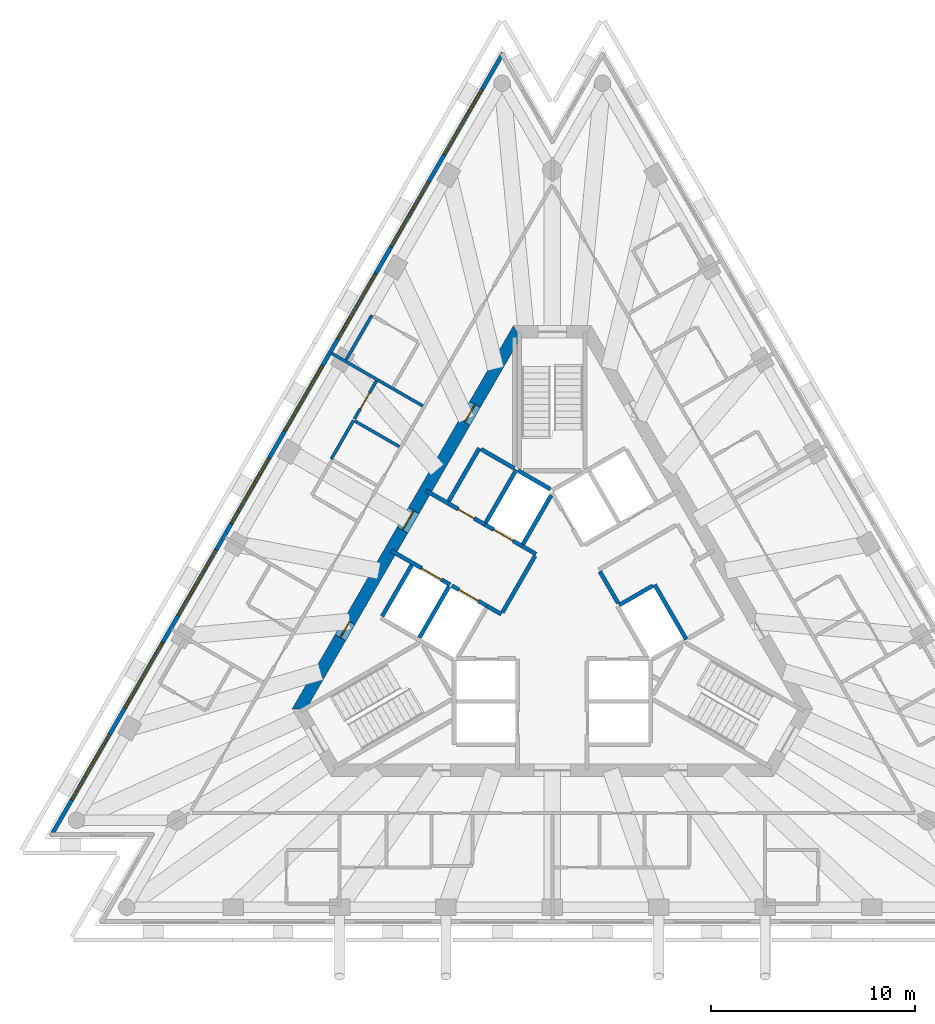
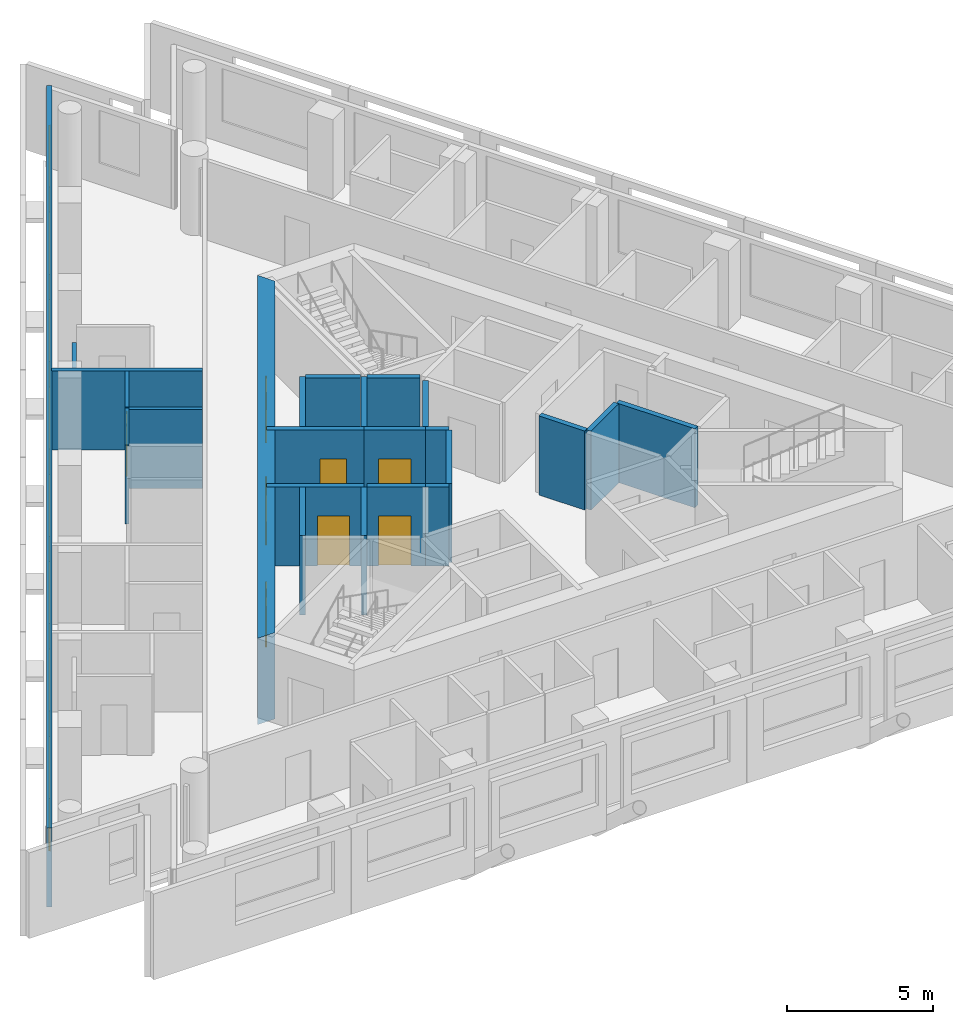
# One storey, part 5 of 10: 24 walls, 8 doors, 8 windows, 16 openings.
"""IFC4 building model written with IfcOpenShell, lengths in metres."""

from ifc_helpers import new_model, si_unit, direction, frame, frame_2d, origin, place, context, subcontext, project, spatial, polyline, rectangle, outline, extrude, material, layer, layer_set, layer_usage, type_object, element, fill, save


model = new_model("IFC4")

# Units and contexts
model_context = context("Model", 3, precision=1e-05, world=origin(), true_north=direction((0.0, 1.0)))
body_context = subcontext(model_context, "Body", "Model", "MODEL_VIEW")
ifc_project = project(units=[si_unit("LENGTHUNIT", "METRE"), si_unit("AREAUNIT", "SQUARE_METRE"), si_unit("VOLUMEUNIT", "CUBIC_METRE"), si_unit("PLANEANGLEUNIT", "RADIAN"), si_unit("MASSUNIT", "GRAM", prefix="KILO")], contexts=[model_context])

# Site, building, storey
site_placement = place(None, origin())
site = spatial("IfcSite", under=ifc_project, at=site_placement, CompositionType="ELEMENT")
building_placement = place(site_placement, origin())
building = spatial("IfcBuilding", under=site, at=building_placement, Name="Triada Interchange Tower", CompositionType="ELEMENT")
storey_placement = place(building_placement, frame((0.0, 0.0, 318.699951171875)))
storey = spatial("IfcBuildingStorey", under=building, at=storey_placement, Name="L76", CompositionType="ELEMENT", Elevation=318.699951171875)

# Walls
ifc_material_1 = material(Name="Concrete C30/37", Category="concrete")
ifc_layer_1 = layer(ifc_material_1, 0.199951171875)
ifc_layer_set_1 = layer_set([ifc_layer_1], Name="CORE WALL 200 EI 120")
wall_type_1 = type_object("IfcWallType", Name="CORE WALL 200 EI 120", PredefinedType="SOLIDWALL", material=ifc_layer_set_1)
wall_1_placement = place(storey_placement, frame((-8.325927734375, -0.6201171875, 0.0), z_axis=(0.0, 0.0, 1.0), x_axis=(0.500023687443, 0.866011727401, 0.0)))
element("IfcWall", 1, at=wall_1_placement, inside=storey, type_object=wall_type_1, Name="Wall L74 65", PredefinedType="SOLIDWALL", context=body_context, shape_type="SweptSolid", body=[
    extrude(rectangle(XDim=2.899658203125, YDim=0.199951171875, at=frame_2d((1.44970703125, 0.0))), origin(), (0.0, 0.0, 1.0), 3.300048828125),
])
wall_2_placement = place(storey_placement, frame((5.007080078125, 0.927978515625, 0.0), z_axis=(0.0, 0.0, 1.0), x_axis=(0.499899694197, -0.866083307622, 0.0)))
element("IfcWall", 2, at=wall_2_placement, inside=storey, type_object=wall_type_1, Name="Wall L74 82", PredefinedType="SOLIDWALL", context=body_context, shape_type="SweptSolid", body=[
    extrude(rectangle(XDim=3.100341796875, YDim=0.199951171875, at=frame_2d((1.55029296875, 0.0))), origin(), (0.0, 0.0, 1.0), 3.300048828125),
])
wall_3_placement = place(storey_placement, frame((3.278076171875, -0.071044921875, 0.0), z_axis=(0.0, 0.0, 1.0), x_axis=(0.865784509405, 0.500417009377, 0.0)))
element("IfcWall", 3, at=wall_3_placement, inside=storey, type_object=wall_type_1, Name="Wall L74 83", PredefinedType="SOLIDWALL", context=body_context, shape_type="SweptSolid", body=[
    extrude(rectangle(XDim=1.896484375, YDim=0.199951171875, at=frame_2d((0.9482421875, 0.0))), origin(), (0.0, 0.0, 1.0), 3.300048828125),
])
wall_4_placement = place(storey_placement, frame((2.324951171875, 1.572998046875, 0.0), z_axis=(0.0, 0.0, 1.0), x_axis=(0.500004188491, -0.866022985545, 0.0)))
element("IfcWall", 4, at=wall_4_placement, inside=storey, type_object=wall_type_1, Name="Wall L74 87", PredefinedType="SOLIDWALL", context=body_context, shape_type="SweptSolid", body=[
    extrude(rectangle(XDim=1.80029296875, YDim=0.199951171875, at=frame_2d((0.900146484375, 0.0))), origin(), (0.0, 0.0, 1.0), 3.300048828125),
])

# Wall, opening, door
ifc_layer_2 = layer(ifc_material_1, 0.199951171875)
ifc_layer_set_2 = layer_set([ifc_layer_2], Name="CORE WALL 200 EI 180")
wall_type_2 = type_object("IfcWallType", Name="CORE WALL 200 EI 180", PredefinedType="SOLIDWALL", material=ifc_layer_set_2)
wall_5_placement = place(storey_placement, frame((-7.89111328125, 2.593017578125, 0.0), z_axis=(0.0, 0.0, 1.0), x_axis=(0.866070917804, -0.499921159118, 0.0)))
wall_5 = element("IfcWall", 5, at=wall_5_placement, inside=storey, type_object=wall_type_2, Name="Wall L74 89", PredefinedType="SOLIDWALL", context=body_context, shape_type="SweptSolid", body=[
    extrude(rectangle(XDim=3.33251953125, YDim=0.199951171875, at=frame_2d((1.666259765625, 0.0))), origin(), (0.0, 0.0, 1.0), 3.300048828125),
])
opening_1_placement = place(wall_5_placement, frame((1.72998046875, 0.0, 0.0)))
opening_1 = element("IfcOpeningElement", 6, at=opening_1_placement, cuts=wall_5, Name="Opening LD-SV1", PredefinedType="OPENING", context=body_context, shape_type="SweptSolid", body=[
    extrude(rectangle(XDim=1.10009765625, YDim=2.10009765625, at=frame_2d((0.550048828125, 1.050048828125))), frame((0.0, 0.10986328125, 0.0), z_axis=(0.0, -1.0, 0.0), x_axis=(1.0, 0.0, 0.0)), (0.0, 0.0, 1.0), 0.219970703125),
])
ifc_material_2 = material(Name="Steel S235 door leaf", Category="steel")
door_type_1 = type_object("IfcDoorType", Name="LIFT LANDING DOOR 1100 EI 120", OperationType="SLIDING_TO_LEFT", PredefinedType="DOOR", material=ifc_material_2)
door_1_placement = place(opening_1_placement, origin())
door_1 = element("IfcDoor", 7, at=door_1_placement, inside=storey, type_object=door_type_1, Name="SV1 landing door L76", OperationType="SLIDING_TO_LEFT", OverallHeight=2.10009765625, OverallWidth=1.10009765625, PredefinedType="DOOR", context=body_context, shape_type="SweptSolid", body=[
    extrude(rectangle(XDim=1.10009765625, YDim=2.10009765625, at=frame_2d((0.550048828125, 1.050048828125))), frame((0.0, 0.02490234375, 0.0), z_axis=(0.0, -1.0, 0.0), x_axis=(1.0, 0.0, 0.0)), (0.0, 0.0, 1.0), 0.050048828125),
])
fill(opening_1, door_1)

# Wall
wall_6_placement = place(storey_placement, frame((-3.18798828125, -0.1220703125, 0.0), z_axis=(0.0, 0.0, 1.0), x_axis=(0.865705793592, -0.50055317294, 0.0)))
element("IfcWall", 8, at=wall_6_placement, inside=storey, type_object=wall_type_2, Name="Wall L74 90", PredefinedType="SOLIDWALL", context=body_context, shape_type="SweptSolid", body=[
    extrude(rectangle(XDim=0.796875, YDim=0.199951171875, at=frame_2d((0.3984375, 0.0))), origin(), (0.0, 0.0, 1.0), 3.300048828125),
])

# Wall, opening, door
wall_7_placement = place(storey_placement, frame((-6.19091796875, 5.537109375, 0.0), z_axis=(0.0, 0.0, 1.0), x_axis=(0.866052607023, -0.499952879648, 0.0)))
wall_7 = element("IfcWall", 9, at=wall_7_placement, inside=storey, type_object=wall_type_2, Name="Wall L74 91", PredefinedType="SOLIDWALL", context=body_context, shape_type="SweptSolid", body=[
    extrude(rectangle(XDim=3.332275390625, YDim=0.199951171875, at=frame_2d((1.666015625, 0.0))), origin(), (0.0, 0.0, 1.0), 3.300048828125),
])
opening_2_placement = place(wall_7_placement, frame((1.830078125, 0.0, 0.0)))
opening_2 = element("IfcOpeningElement", 10, at=opening_2_placement, cuts=wall_7, Name="Opening D74-10", PredefinedType="OPENING", context=body_context, shape_type="SweptSolid", body=[
    extrude(rectangle(XDim=0.89990234375, YDim=2.10009765625, at=frame_2d((0.449951171875, 1.050048828125))), frame((0.0, 0.10986328125, 0.0), z_axis=(0.0, -1.0, 0.0), x_axis=(1.0, 0.0, 0.0)), (0.0, 0.0, 1.0), 0.219970703125),
])
door_type_2 = type_object("IfcDoorType", Name="SERVICE DOOR 900 EI2 90-C5S200", OperationType="NOTDEFINED", PredefinedType="DOOR", material=ifc_material_2)
door_2_placement = place(opening_2_placement, origin())
door_2 = element("IfcDoor", 11, at=door_2_placement, inside=storey, type_object=door_type_2, Name="Door D74-10 L76", OperationType="SINGLE_SWING_LEFT", OverallHeight=2.10009765625, OverallWidth=0.89990234375, PredefinedType="DOOR", context=body_context, shape_type="SweptSolid", body=[
    extrude(rectangle(XDim=0.89990234375, YDim=2.10009765625, at=frame_2d((0.449951171875, 1.050048828125))), frame((0.0, 0.02490234375, 0.0), z_axis=(0.0, -1.0, 0.0), x_axis=(1.0, 0.0, 0.0)), (0.0, 0.0, 1.0), 0.050048828125),
])
fill(opening_2, door_2)

# Walls
wall_8_placement = place(storey_placement, frame((-1.488037109375, 2.822021484375, 0.0), z_axis=(0.0, 0.0, 1.0), x_axis=(0.866236612152, -0.499633997809, 0.0)))
element("IfcWall", 12, at=wall_8_placement, inside=storey, type_object=wall_type_2, Name="Wall L74 92", PredefinedType="SOLIDWALL", context=body_context, shape_type="SweptSolid", body=[
    extrude(rectangle(XDim=0.79638671875, YDim=0.199951171875, at=frame_2d((0.398193359375, 0.0))), origin(), (0.0, 0.0, 1.0), 3.300048828125),
])
wall_9_placement = place(storey_placement, frame((-5.075927734375, 5.009033203125, 0.0), z_axis=(0.0, 0.0, 1.0), x_axis=(0.50002537861, 0.866010750942, 0.0)))
element("IfcWall", 13, at=wall_9_placement, inside=storey, type_object=wall_type_2, Name="Wall L74 93", PredefinedType="SOLIDWALL", context=body_context, shape_type="SweptSolid", body=[
    extrude(rectangle(XDim=2.999755859375, YDim=0.199951171875, at=frame_2d((1.5, 0.0))), origin(), (0.0, 0.0, 1.0), 3.300048828125),
])
wall_10_placement = place(storey_placement, frame((-3.489013671875, 7.556884765625, 0.0), z_axis=(0.0, 0.0, 1.0), x_axis=(0.866012558475, -0.500022248069, 0.0)))
element("IfcWall", 14, at=wall_10_placement, inside=storey, type_object=wall_type_2, Name="Wall L74 94", PredefinedType="SOLIDWALL", context=body_context, shape_type="SweptSolid", body=[
    extrude(rectangle(XDim=1.8798828125, YDim=0.199951171875, at=frame_2d((0.93994140625, 0.0))), origin(), (0.0, 0.0, 1.0), 3.300048828125),
])
wall_11_placement = place(storey_placement, frame((-2.444091796875, -0.43310546875, 0.0), z_axis=(0.0, 0.0, 1.0), x_axis=(0.500035624827, 0.866004834804, 0.0)))
element("IfcWall", 15, at=wall_11_placement, inside=storey, type_object=wall_type_2, Name="Wall L74 95", PredefinedType="SOLIDWALL", context=body_context, shape_type="SweptSolid", body=[
    extrude(rectangle(XDim=3.194091796875, YDim=0.199951171875, at=frame_2d((1.59716796875, 0.0))), origin(), (0.0, 0.0, 1.0), 3.300048828125),
])
wall_12_placement = place(storey_placement, frame((-6.507080078125, -1.669921875, 0.0), z_axis=(0.0, 0.0, 1.0), x_axis=(0.50012328804, 0.865954211699, 0.0)))
element("IfcWall", 16, at=wall_12_placement, inside=storey, type_object=wall_type_2, Name="Shaft wall FF1 L74 96", PredefinedType="SOLIDWALL", context=body_context, shape_type="SweptSolid", body=[
    extrude(rectangle(XDim=2.899658203125, YDim=0.199951171875, at=frame_2d((1.44970703125, 0.0))), origin(), (0.0, 0.0, 1.0), 3.300048828125),
])

# Wall, opening, door
wall_13_placement = place(storey_placement, frame((-4.922119140625, 0.87890625, 0.0), z_axis=(0.0, 0.0, 1.0), x_axis=(0.866073918653, -0.499915960366, 0.0)))
wall_13 = element("IfcWall", 17, at=wall_13_placement, inside=storey, type_object=wall_type_2, Name="Shaft wall FF1 L74 98", PredefinedType="SOLIDWALL", context=body_context, shape_type="SweptSolid", body=[
    extrude(rectangle(XDim=2.002197265625, YDim=0.199951171875, at=frame_2d((1.0009765625, 0.0))), origin(), (0.0, 0.0, 1.0), 3.300048828125),
])
opening_3_placement = place(wall_13_placement, frame((0.402099609375, 0.0, 0.0)))
opening_3 = element("IfcOpeningElement", 18, at=opening_3_placement, cuts=wall_13, Name="Opening LD-FF1", PredefinedType="OPENING", context=body_context, shape_type="SweptSolid", body=[
    extrude(rectangle(XDim=1.10009765625, YDim=2.10009765625, at=frame_2d((0.550048828125, 1.050048828125))), frame((0.0, 0.10986328125, 0.0), z_axis=(0.0, -1.0, 0.0), x_axis=(1.0, 0.0, 0.0)), (0.0, 0.0, 1.0), 0.219970703125),
])
door_3_placement = place(opening_3_placement, origin())
door_3 = element("IfcDoor", 19, at=door_3_placement, inside=storey, type_object=door_type_1, Name="FF1 landing door L76", OperationType="SLIDING_TO_LEFT", OverallHeight=2.10009765625, OverallWidth=1.10009765625, PredefinedType="DOOR", context=body_context, shape_type="SweptSolid", body=[
    extrude(rectangle(XDim=1.10009765625, YDim=2.10009765625, at=frame_2d((0.550048828125, 1.050048828125))), frame((0.0, 0.02490234375, 0.0), z_axis=(0.0, -1.0, 0.0), x_axis=(1.0, 0.0, 0.0)), (0.0, 0.0, 1.0), 0.050048828125),
])
fill(opening_3, door_3)

wall_14_placement = place(storey_placement, frame((-3.30908203125, 3.873046875, 0.0), z_axis=(0.0, 0.0, 1.0), x_axis=(0.866098583652, -0.499873227325, 0.0)))
wall_14 = element("IfcWall", 20, at=wall_14_placement, inside=storey, type_object=wall_type_2, Name="Shaft wall FF2 L74 100", PredefinedType="SOLIDWALL", context=body_context, shape_type="SweptSolid", body=[
    extrude(rectangle(XDim=2.1025390625, YDim=0.199951171875, at=frame_2d((1.05126953125, 0.0))), origin(), (0.0, 0.0, 1.0), 3.300048828125),
])
opening_4_placement = place(wall_14_placement, frame((0.501953125, 0.0, 0.0)))
opening_4 = element("IfcOpeningElement", 21, at=opening_4_placement, cuts=wall_14, Name="Opening LD-FF2", PredefinedType="OPENING", context=body_context, shape_type="SweptSolid", body=[
    extrude(rectangle(XDim=1.10009765625, YDim=2.10009765625, at=frame_2d((0.550048828125, 1.050048828125))), frame((0.0, 0.10986328125, 0.0), z_axis=(0.0, -1.0, 0.0), x_axis=(1.0, 0.0, 0.0)), (0.0, 0.0, 1.0), 0.219970703125),
])
door_4_placement = place(opening_4_placement, origin())
door_4 = element("IfcDoor", 22, at=door_4_placement, inside=storey, type_object=door_type_1, Name="FF2 landing door L76", OperationType="SLIDING_TO_LEFT", OverallHeight=2.10009765625, OverallWidth=1.10009765625, PredefinedType="DOOR", context=body_context, shape_type="SweptSolid", body=[
    extrude(rectangle(XDim=1.10009765625, YDim=2.10009765625, at=frame_2d((0.550048828125, 1.050048828125))), frame((0.0, 0.02490234375, 0.0), z_axis=(0.0, -1.0, 0.0), x_axis=(1.0, 0.0, 0.0)), (0.0, 0.0, 1.0), 0.050048828125),
])
fill(opening_4, door_4)

# Walls
wall_15_placement = place(storey_placement, frame((-3.257080078125, 3.958984375, 0.0), z_axis=(0.0, 0.0, 1.0), x_axis=(0.50002537861, 0.866010750942, 0.0)))
element("IfcWall", 23, at=wall_15_placement, inside=storey, type_object=wall_type_2, Name="Shaft wall FF2 L74 101", PredefinedType="SOLIDWALL", context=body_context, shape_type="SweptSolid", body=[
    extrude(rectangle(XDim=2.999755859375, YDim=0.199951171875, at=frame_2d((1.5, 0.0))), origin(), (0.0, 0.0, 1.0), 3.300048828125),
])
wall_16_placement = place(storey_placement, frame((-1.669921875, 6.507080078125, 0.0), z_axis=(0.0, 0.0, 1.0), x_axis=(0.865941441609, -0.500145398563, 0.0)))
element("IfcWall", 24, at=wall_16_placement, inside=storey, type_object=wall_type_2, Name="Shaft wall FF2 L74 102", PredefinedType="SOLIDWALL", context=body_context, shape_type="SweptSolid", body=[
    extrude(rectangle(XDim=1.8154296875, YDim=0.199951171875, at=frame_2d((0.90771484375, 0.0))), origin(), (0.0, 0.0, 1.0), 3.300048828125),
])
wall_17_placement = place(storey_placement, frame((-1.43798828125, 2.908935546875, 0.0), z_axis=(0.0, 0.0, 1.0), x_axis=(0.499829630636, 0.866123744241, 0.0)))
element("IfcWall", 25, at=wall_17_placement, inside=storey, type_object=wall_type_2, Name="Shaft wall FF2 L74 103", PredefinedType="SOLIDWALL", context=body_context, shape_type="SweptSolid", body=[
    extrude(rectangle(XDim=2.7607421875, YDim=0.199951171875, at=frame_2d((1.38037109375, 0.0))), origin(), (0.0, 0.0, 1.0), 3.300048828125),
])

# Wall, openings, doors
ifc_material_3 = material(Name="Concrete C40/50", Category="concrete")
ifc_layer_3 = layer(ifc_material_3, 0.60009765625)
ifc_layer_set_3 = layer_set([ifc_layer_3], Name="Core wall D 600")
wall_type_3 = type_object("IfcWallType", Name="Core wall D 600", PredefinedType="SHEAR", material=ifc_layer_set_3)
wall_18_placement = place(storey_placement, frame((-1.73193359375, 13.300048828125, -0.300048828125), z_axis=(0.0, 0.0, 1.0), x_axis=(-0.500000539815, -0.866025092122, 0.0)))
wall_18 = element("IfcWall", 26, at=wall_18_placement, inside=storey, type_object=wall_type_3, Name="Core wall WD02 L76", PredefinedType="SHEAR", context=body_context, shape_type="SweptSolid", body=[
    extrude(outline(polyline([(-0.173095703125, -0.300048828125), (1.795166015625, -0.300048828125), (3.763427734375, -0.30029296875), (5.731689453125, -0.30029296875), (7.699951171875, -0.30029296875), (9.668212890625, -0.300537109375), (11.63671875, -0.300537109375), (13.60498046875, -0.30078125), (15.5732421875, -0.30078125), (17.54150390625, -0.30078125), (19.509765625, -0.301025390625), (21.47802734375, -0.301025390625), (21.131103515625, 0.300048828125), (19.225830078125, 0.300048828125), (17.320556640625, 0.300048828125), (15.415283203125, 0.300048828125), (13.510009765625, 0.300048828125), (11.604736328125, 0.300048828125), (9.699462890625, 0.300048828125), (7.794189453125, 0.300048828125), (5.888916015625, 0.300048828125), (3.983642578125, 0.300048828125), (2.078369140625, 0.300048828125), (0.173095703125, 0.300048828125), (-0.173095703125, -0.300048828125)])), origin(), (0.0, 0.0, 1.0), 3.60009765625),
])
opening_5_placement = place(wall_18_placement, frame((10.10205078125, 0.0, 0.300048828125)))
opening_5 = element("IfcOpeningElement", 27, at=opening_5_placement, cuts=wall_18, Name="Opening D74-49", PredefinedType="OPENING", context=body_context, shape_type="SweptSolid", body=[
    extrude(rectangle(XDim=1.10009765625, YDim=2.10009765625, at=frame_2d((0.550048828125, 1.050048828125))), frame((0.0, 0.31005859375, 0.0), z_axis=(0.0, -1.0, 0.0), x_axis=(1.0, 0.0, 0.0)), (0.0, 0.0, 1.0), 0.62109375),
])
opening_6_placement = place(wall_18_placement, frame((16.3779296875, 0.0, 0.300048828125)))
opening_6 = element("IfcOpeningElement", 28, at=opening_6_placement, cuts=wall_18, Name="Opening D74-50", PredefinedType="OPENING", context=body_context, shape_type="SweptSolid", body=[
    extrude(rectangle(XDim=0.89990234375, YDim=2.10009765625, at=frame_2d((0.449951171875, 1.050048828125))), frame((0.0, 0.31005859375, 0.0), z_axis=(0.0, -1.0, 0.0), x_axis=(1.0, 0.0, 0.0)), (0.0, 0.0, 1.0), 0.62109375),
])
opening_7_placement = place(wall_18_placement, frame((4.10595703125, 0.0, 0.300048828125)))
opening_7 = element("IfcOpeningElement", 29, at=opening_7_placement, cuts=wall_18, Name="Opening D74-52", PredefinedType="OPENING", context=body_context, shape_type="SweptSolid", body=[
    extrude(rectangle(XDim=1.0, YDim=2.10009765625, at=frame_2d((0.5, 1.050048828125))), frame((0.0, 0.31005859375, 0.0), z_axis=(0.0, -1.0, 0.0), x_axis=(1.0, 0.0, 0.0)), (0.0, 0.0, 1.0), 0.62109375),
])
door_type_3 = type_object("IfcDoorType", Name="FIRE LOBBY DOOR 1100 EI2 90-C5S200", OperationType="NOTDEFINED", PredefinedType="DOOR", material=ifc_material_2)
door_5_placement = place(opening_5_placement, origin())
door_5 = element("IfcDoor", 30, at=door_5_placement, inside=storey, type_object=door_type_3, Name="Door D74-49 L76", OperationType="SINGLE_SWING_RIGHT", OverallHeight=2.10009765625, OverallWidth=1.10009765625, PredefinedType="DOOR", context=body_context, shape_type="SweptSolid", body=[
    extrude(rectangle(XDim=1.10009765625, YDim=2.10009765625, at=frame_2d((0.550048828125, 1.050048828125))), frame((0.0, 0.02490234375, 0.0), z_axis=(0.0, -1.0, 0.0), x_axis=(1.0, 0.0, 0.0)), (0.0, 0.0, 1.0), 0.050048828125),
])
fill(opening_5, door_5)
door_type_4 = type_object("IfcDoorType", Name="SERVICE DOOR 1000 EI2 45-C5S200", OperationType="NOTDEFINED", PredefinedType="DOOR", material=ifc_material_2)
door_6_placement = place(opening_7_placement, origin())
door_6 = element("IfcDoor", 31, at=door_6_placement, inside=storey, type_object=door_type_4, Name="Door D74-52 L76", OperationType="SINGLE_SWING_LEFT", OverallHeight=2.10009765625, OverallWidth=1.0, PredefinedType="DOOR", context=body_context, shape_type="SweptSolid", body=[
    extrude(rectangle(XDim=1.0, YDim=2.10009765625, at=frame_2d((0.5, 1.050048828125))), frame((0.0, 0.02490234375, 0.0), z_axis=(0.0, -1.0, 0.0), x_axis=(1.0, 0.0, 0.0)), (0.0, 0.0, 1.0), 0.050048828125),
])
fill(opening_7, door_6)
door_type_5 = type_object("IfcDoorType", Name="SERVICE DOOR 900 EI2 45-C5S200", OperationType="NOTDEFINED", PredefinedType="DOOR", material=ifc_material_2)
door_7_placement = place(opening_6_placement, origin())
door_7 = element("IfcDoor", 32, at=door_7_placement, inside=storey, type_object=door_type_5, Name="Door D74-50 L76", OperationType="SINGLE_SWING_RIGHT", OverallHeight=2.10009765625, OverallWidth=0.89990234375, PredefinedType="DOOR", context=body_context, shape_type="SweptSolid", body=[
    extrude(rectangle(XDim=0.89990234375, YDim=2.10009765625, at=frame_2d((0.449951171875, 1.050048828125))), frame((0.0, 0.02490234375, 0.0), z_axis=(0.0, -1.0, 0.0), x_axis=(1.0, 0.0, 0.0)), (0.0, 0.0, 1.0), 0.050048828125),
])
fill(opening_6, door_7)

# Wall, openings, windows
ifc_material_4 = material(Name="Cement board")
ifc_layer_4 = layer(ifc_material_4, 0.02001953125, Name="Cement board cladding")
ifc_material_5 = material(Name="Sheathing board")
ifc_layer_5 = layer(ifc_material_5, 0.014892578125, Name="Sheathing board")
ifc_material_6 = material(Name="Mineral wool")
ifc_layer_6 = layer(ifc_material_6, 0.14990234375, Name="Mineral wool between steel studs")
ifc_material_7 = material(Name="Gypsum board")
ifc_layer_7 = layer(ifc_material_7, 0.014892578125, Name="Plasterboard lining")
ifc_layer_set_4 = layer_set([ifc_layer_4, ifc_layer_5, ifc_layer_6, ifc_layer_7], Name="External wall 200")
ifc_layer_usage = layer_usage(ifc_layer_set_4, "AXIS2", "POSITIVE", -0.10009765625)
wall_type_4 = type_object("IfcWallType", Name="External wall 200", PredefinedType="ELEMENTEDWALL", material=ifc_layer_set_4)
wall_19_placement = place(storey_placement, frame((-2.412109375, 26.947998046875, 0.0), z_axis=(0.0, 0.0, 1.0), x_axis=(-0.500002044679, -0.866024223285, 0.0)))
wall_19 = element("IfcWall", 33, at=wall_19_placement, inside=storey, type_object=wall_type_4, material=ifc_layer_usage, Name="External wall L76 NW", PredefinedType="ELEMENTEDWALL", context=body_context, shape_type="SweptSolid", body=[
    extrude(rectangle(XDim=44.243408203125, YDim=0.199951171875, at=frame_2d((22.12158203125, 0.0))), origin(), (0.0, 0.0, 1.0), 3.300048828125),
])
opening_8_placement = place(wall_19_placement, frame((2.055908203125, 0.0, 0.89990234375)))
opening_8 = element("IfcOpeningElement", 34, at=opening_8_placement, cuts=wall_19, Name="Opening WD01", PredefinedType="OPENING", context=body_context, shape_type="SweptSolid", body=[
    extrude(rectangle(XDim=3.699951171875, YDim=2.199951171875, at=frame_2d((1.85009765625, 1.10009765625))), frame((0.0, 0.10986328125, 0.0), z_axis=(0.0, -1.0, 0.0), x_axis=(1.0, 0.0, 0.0)), (0.0, 0.0, 1.0), 0.219970703125),
])
opening_9_placement = place(wall_19_placement, frame((7.262939453125, 0.0, 0.89990234375)))
opening_9 = element("IfcOpeningElement", 35, at=opening_9_placement, cuts=wall_19, Name="Opening WD02", PredefinedType="OPENING", context=body_context, shape_type="SweptSolid", body=[
    extrude(rectangle(XDim=3.699951171875, YDim=2.199951171875, at=frame_2d((1.85009765625, 1.10009765625))), frame((0.0, 0.10986328125, 0.0), z_axis=(0.0, -1.0, 0.0), x_axis=(1.0, 0.0, 0.0)), (0.0, 0.0, 1.0), 0.219970703125),
])
opening_10_placement = place(wall_19_placement, frame((12.470947265625, 0.0, 0.89990234375)))
opening_10 = element("IfcOpeningElement", 36, at=opening_10_placement, cuts=wall_19, Name="Opening WD03", PredefinedType="OPENING", context=body_context, shape_type="SweptSolid", body=[
    extrude(rectangle(XDim=3.699951171875, YDim=2.199951171875, at=frame_2d((1.85009765625, 1.10009765625))), frame((0.0, 0.10986328125, 0.0), z_axis=(0.0, -1.0, 0.0), x_axis=(1.0, 0.0, 0.0)), (0.0, 0.0, 1.0), 0.219970703125),
])
opening_11_placement = place(wall_19_placement, frame((17.677978515625, 0.0, 0.89990234375)))
opening_11 = element("IfcOpeningElement", 37, at=opening_11_placement, cuts=wall_19, Name="Opening WD04", PredefinedType="OPENING", context=body_context, shape_type="SweptSolid", body=[
    extrude(rectangle(XDim=3.699951171875, YDim=2.199951171875, at=frame_2d((1.85009765625, 1.10009765625))), frame((0.0, 0.10986328125, 0.0), z_axis=(0.0, -1.0, 0.0), x_axis=(1.0, 0.0, 0.0)), (0.0, 0.0, 1.0), 0.219970703125),
])
opening_12_placement = place(wall_19_placement, frame((22.885009765625, 0.0, 0.89990234375)))
opening_12 = element("IfcOpeningElement", 38, at=opening_12_placement, cuts=wall_19, Name="Opening WD05", PredefinedType="OPENING", context=body_context, shape_type="SweptSolid", body=[
    extrude(rectangle(XDim=3.699951171875, YDim=2.199951171875, at=frame_2d((1.85009765625, 1.10009765625))), frame((0.0, 0.10986328125, 0.0), z_axis=(0.0, -1.0, 0.0), x_axis=(1.0, 0.0, 0.0)), (0.0, 0.0, 1.0), 0.219970703125),
])
opening_13_placement = place(wall_19_placement, frame((28.092041015625, 0.0, 0.89990234375)))
opening_13 = element("IfcOpeningElement", 39, at=opening_13_placement, cuts=wall_19, Name="Opening WD06", PredefinedType="OPENING", context=body_context, shape_type="SweptSolid", body=[
    extrude(rectangle(XDim=3.699951171875, YDim=2.199951171875, at=frame_2d((1.85009765625, 1.10009765625))), frame((0.0, 0.10986328125, 0.0), z_axis=(0.0, -1.0, 0.0), x_axis=(1.0, 0.0, 0.0)), (0.0, 0.0, 1.0), 0.219970703125),
])
opening_14_placement = place(wall_19_placement, frame((33.300048828125, 0.0, 0.89990234375)))
opening_14 = element("IfcOpeningElement", 40, at=opening_14_placement, cuts=wall_19, Name="Opening WD07", PredefinedType="OPENING", context=body_context, shape_type="SweptSolid", body=[
    extrude(rectangle(XDim=3.699951171875, YDim=2.199951171875, at=frame_2d((1.85009765625, 1.10009765625))), frame((0.0, 0.10986328125, 0.0), z_axis=(0.0, -1.0, 0.0), x_axis=(1.0, 0.0, 0.0)), (0.0, 0.0, 1.0), 0.219970703125),
])
opening_15_placement = place(wall_19_placement, frame((38.507080078125, 0.0, 0.89990234375)))
opening_15 = element("IfcOpeningElement", 41, at=opening_15_placement, cuts=wall_19, Name="Opening WD08", PredefinedType="OPENING", context=body_context, shape_type="SweptSolid", body=[
    extrude(rectangle(XDim=3.699951171875, YDim=2.199951171875, at=frame_2d((1.85009765625, 1.10009765625))), frame((0.0, 0.10986328125, 0.0), z_axis=(0.0, -1.0, 0.0), x_axis=(1.0, 0.0, 0.0)), (0.0, 0.0, 1.0), 0.219970703125),
])
ifc_material_8 = material(Name="Double glazed aluminium window", Category="aluminium")
window_type = type_object("IfcWindowType", Name="Ribbon window D face", PartitioningType="SINGLE_PANEL", PredefinedType="WINDOW", material=ifc_material_8)
window_1_placement = place(opening_8_placement, origin())
window_1 = element("IfcWindow", 42, at=window_1_placement, inside=storey, type_object=window_type, Name="Window L76 NW 1", OverallHeight=2.199951171875, OverallWidth=3.699951171875, PartitioningType="SINGLE_PANEL", PredefinedType="WINDOW", context=body_context, shape_type="SweptSolid", body=[
    extrude(rectangle(XDim=3.699951171875, YDim=2.199951171875, at=frame_2d((1.85009765625, 1.10009765625))), frame((0.0, 0.030029296875, 0.0), z_axis=(0.0, -1.0, 0.0), x_axis=(1.0, 0.0, 0.0)), (0.0, 0.0, 1.0), 0.06005859375),
])
fill(opening_8, window_1)
window_2_placement = place(opening_9_placement, origin())
window_2 = element("IfcWindow", 43, at=window_2_placement, inside=storey, type_object=window_type, Name="Window L76 NW 2", OverallHeight=2.199951171875, OverallWidth=3.699951171875, PartitioningType="SINGLE_PANEL", PredefinedType="WINDOW", context=body_context, shape_type="SweptSolid", body=[
    extrude(rectangle(XDim=3.699951171875, YDim=2.199951171875, at=frame_2d((1.85009765625, 1.10009765625))), frame((0.0, 0.030029296875, 0.0), z_axis=(0.0, -1.0, 0.0), x_axis=(1.0, 0.0, 0.0)), (0.0, 0.0, 1.0), 0.06005859375),
])
fill(opening_9, window_2)
window_3_placement = place(opening_10_placement, origin())
window_3 = element("IfcWindow", 44, at=window_3_placement, inside=storey, type_object=window_type, Name="Window L76 NW 3", OverallHeight=2.199951171875, OverallWidth=3.699951171875, PartitioningType="SINGLE_PANEL", PredefinedType="WINDOW", context=body_context, shape_type="SweptSolid", body=[
    extrude(rectangle(XDim=3.699951171875, YDim=2.199951171875, at=frame_2d((1.85009765625, 1.10009765625))), frame((0.0, 0.030029296875, 0.0), z_axis=(0.0, -1.0, 0.0), x_axis=(1.0, 0.0, 0.0)), (0.0, 0.0, 1.0), 0.06005859375),
])
fill(opening_10, window_3)
window_4_placement = place(opening_11_placement, origin())
window_4 = element("IfcWindow", 45, at=window_4_placement, inside=storey, type_object=window_type, Name="Window L76 NW 4", OverallHeight=2.199951171875, OverallWidth=3.699951171875, PartitioningType="SINGLE_PANEL", PredefinedType="WINDOW", context=body_context, shape_type="SweptSolid", body=[
    extrude(rectangle(XDim=3.699951171875, YDim=2.199951171875, at=frame_2d((1.85009765625, 1.10009765625))), frame((0.0, 0.030029296875, 0.0), z_axis=(0.0, -1.0, 0.0), x_axis=(1.0, 0.0, 0.0)), (0.0, 0.0, 1.0), 0.06005859375),
])
fill(opening_11, window_4)
window_5_placement = place(opening_12_placement, origin())
window_5 = element("IfcWindow", 46, at=window_5_placement, inside=storey, type_object=window_type, Name="Window L76 NW 5", OverallHeight=2.199951171875, OverallWidth=3.699951171875, PartitioningType="SINGLE_PANEL", PredefinedType="WINDOW", context=body_context, shape_type="SweptSolid", body=[
    extrude(rectangle(XDim=3.699951171875, YDim=2.199951171875, at=frame_2d((1.85009765625, 1.10009765625))), frame((0.0, 0.030029296875, 0.0), z_axis=(0.0, -1.0, 0.0), x_axis=(1.0, 0.0, 0.0)), (0.0, 0.0, 1.0), 0.06005859375),
])
fill(opening_12, window_5)
window_6_placement = place(opening_13_placement, origin())
window_6 = element("IfcWindow", 47, at=window_6_placement, inside=storey, type_object=window_type, Name="Window L76 NW 6", OverallHeight=2.199951171875, OverallWidth=3.699951171875, PartitioningType="SINGLE_PANEL", PredefinedType="WINDOW", context=body_context, shape_type="SweptSolid", body=[
    extrude(rectangle(XDim=3.699951171875, YDim=2.199951171875, at=frame_2d((1.85009765625, 1.10009765625))), frame((0.0, 0.030029296875, 0.0), z_axis=(0.0, -1.0, 0.0), x_axis=(1.0, 0.0, 0.0)), (0.0, 0.0, 1.0), 0.06005859375),
])
fill(opening_13, window_6)
window_7_placement = place(opening_14_placement, origin())
window_7 = element("IfcWindow", 48, at=window_7_placement, inside=storey, type_object=window_type, Name="Window L76 NW 7", OverallHeight=2.199951171875, OverallWidth=3.699951171875, PartitioningType="SINGLE_PANEL", PredefinedType="WINDOW", context=body_context, shape_type="SweptSolid", body=[
    extrude(rectangle(XDim=3.699951171875, YDim=2.199951171875, at=frame_2d((1.85009765625, 1.10009765625))), frame((0.0, 0.030029296875, 0.0), z_axis=(0.0, -1.0, 0.0), x_axis=(1.0, 0.0, 0.0)), (0.0, 0.0, 1.0), 0.06005859375),
])
fill(opening_14, window_7)
window_8_placement = place(opening_15_placement, origin())
window_8 = element("IfcWindow", 49, at=window_8_placement, inside=storey, type_object=window_type, Name="Window L76 NW 8", OverallHeight=2.199951171875, OverallWidth=3.699951171875, PartitioningType="SINGLE_PANEL", PredefinedType="WINDOW", context=body_context, shape_type="SweptSolid", body=[
    extrude(rectangle(XDim=3.699951171875, YDim=2.199951171875, at=frame_2d((1.85009765625, 1.10009765625))), frame((0.0, 0.030029296875, 0.0), z_axis=(0.0, -1.0, 0.0), x_axis=(1.0, 0.0, 0.0)), (0.0, 0.0, 1.0), 0.06005859375),
])
fill(opening_15, window_8)

# Walls
ifc_material_9 = material(Name="Gypsum board partition")
ifc_layer_8 = layer(ifc_material_9, 0.14990234375)
ifc_layer_set_5 = layer_set([ifc_layer_8], Name="PARTITION 150 EI 180")
wall_type_5 = type_object("IfcWallType", Name="PARTITION 150 EI 180", PredefinedType="PARTITIONING", material=ifc_layer_set_5)
wall_20_placement = place(storey_placement, frame((-10.804931640625, 12.2509765625, 0.0), z_axis=(0.0, 0.0, 1.0), x_axis=(0.86604134632, -0.499972385701, 0.0)))
element("IfcWall", 50, at=wall_20_placement, inside=storey, type_object=wall_type_5, Name="Wall L74 7", PredefinedType="PARTITIONING", context=body_context, shape_type="SweptSolid", body=[
    extrude(rectangle(XDim=5.157958984375, YDim=0.14990234375, at=frame_2d((2.5791015625, 0.0))), origin(), (0.0, 0.0, 1.0), 3.300048828125),
])
wall_21_placement = place(storey_placement, frame((-10.823974609375, 7.06591796875, 0.0), z_axis=(0.0, 0.0, 1.0), x_axis=(0.499994660107, 0.866028486751, 0.0)))
element("IfcWall", 51, at=wall_21_placement, inside=storey, type_object=wall_type_5, Name="Wall L74 8", PredefinedType="PARTITIONING", context=body_context, shape_type="SweptSolid", body=[
    extrude(rectangle(XDim=2.19970703125, YDim=0.14990234375, at=frame_2d((1.099853515625, 0.0))), origin(), (0.0, 0.0, 1.0), 3.300048828125),
])
wall_22_placement = place(storey_placement, frame((-9.658935546875, 8.93310546875, 0.0), z_axis=(0.0, 0.0, 1.0), x_axis=(0.866059082011, -0.499941663064, 0.0)))
element("IfcWall", 52, at=wall_22_placement, inside=storey, type_object=wall_type_5, Name="Wall L74 13", PredefinedType="PARTITIONING", context=body_context, shape_type="SweptSolid", body=[
    extrude(rectangle(XDim=2.506591796875, YDim=0.14990234375, at=frame_2d((1.25341796875, 0.0))), origin(), (0.0, 0.0, 1.0), 3.300048828125),
])
ifc_layer_9 = layer(ifc_material_9, 0.14990234375)
ifc_layer_set_6 = layer_set([ifc_layer_9], Name="PARTITION 150 EI 90")
wall_type_6 = type_object("IfcWallType", Name="PARTITION 150 EI 90", PredefinedType="PARTITIONING", material=ifc_layer_set_6)
wall_23_placement = place(storey_placement, frame((-10.094970703125, 11.927978515625, 0.0), z_axis=(0.0, 0.0, 1.0), x_axis=(0.499956887143, 0.866050293573, 0.0)))
element("IfcWall", 53, at=wall_23_placement, inside=storey, type_object=wall_type_6, Name="Wall L74 32", PredefinedType="PARTITIONING", context=body_context, shape_type="SweptSolid", body=[
    extrude(rectangle(XDim=2.524169921875, YDim=0.14990234375, at=frame_2d((1.26220703125, 0.0))), origin(), (0.0, 0.0, 1.0), 2.60009765625),
])

# Wall, opening, door
wall_24_placement = place(storey_placement, frame((-9.68701171875, 9.033935546875, 0.0), z_axis=(0.0, 0.0, 1.0), x_axis=(0.499909024581, 0.866077922096, 0.0)))
wall_24 = element("IfcWall", 54, at=wall_24_placement, inside=storey, type_object=wall_type_6, Name="Wall L74 37", PredefinedType="PARTITIONING", context=body_context, shape_type="SweptSolid", body=[
    extrude(rectangle(XDim=2.15234375, YDim=0.14990234375, at=frame_2d((1.076171875, 0.0))), origin(), (0.0, 0.0, 1.0), 3.300048828125),
])
opening_16_placement = place(wall_24_placement, frame((0.576904296875, 0.0, 0.0)))
opening_16 = element("IfcOpeningElement", 55, at=opening_16_placement, cuts=wall_24, Name="Opening D74-38", PredefinedType="OPENING", context=body_context, shape_type="SweptSolid", body=[
    extrude(rectangle(XDim=0.89990234375, YDim=2.10009765625, at=frame_2d((0.449951171875, 1.050048828125))), frame((0.0, 0.0849609375, 0.0), z_axis=(0.0, -1.0, 0.0), x_axis=(1.0, 0.0, 0.0)), (0.0, 0.0, 1.0), 0.169921875),
])
door_type_6 = type_object("IfcDoorType", Name="ROOM DOOR 900 EI2 45-C5S200", OperationType="NOTDEFINED", PredefinedType="DOOR", material=ifc_material_2)
door_8_placement = place(opening_16_placement, origin())
door_8 = element("IfcDoor", 56, at=door_8_placement, inside=storey, type_object=door_type_6, Name="Door D74-38 L76", OperationType="SINGLE_SWING_LEFT", OverallHeight=2.10009765625, OverallWidth=0.89990234375, PredefinedType="DOOR", context=body_context, shape_type="SweptSolid", body=[
    extrude(rectangle(XDim=0.89990234375, YDim=2.10009765625, at=frame_2d((0.449951171875, 1.050048828125))), frame((0.0, 0.02490234375, 0.0), z_axis=(0.0, -1.0, 0.0), x_axis=(1.0, 0.0, 0.0)), (0.0, 0.0, 1.0), 0.050048828125),
])
fill(opening_16, door_8)

save(model, "model.ifc")
